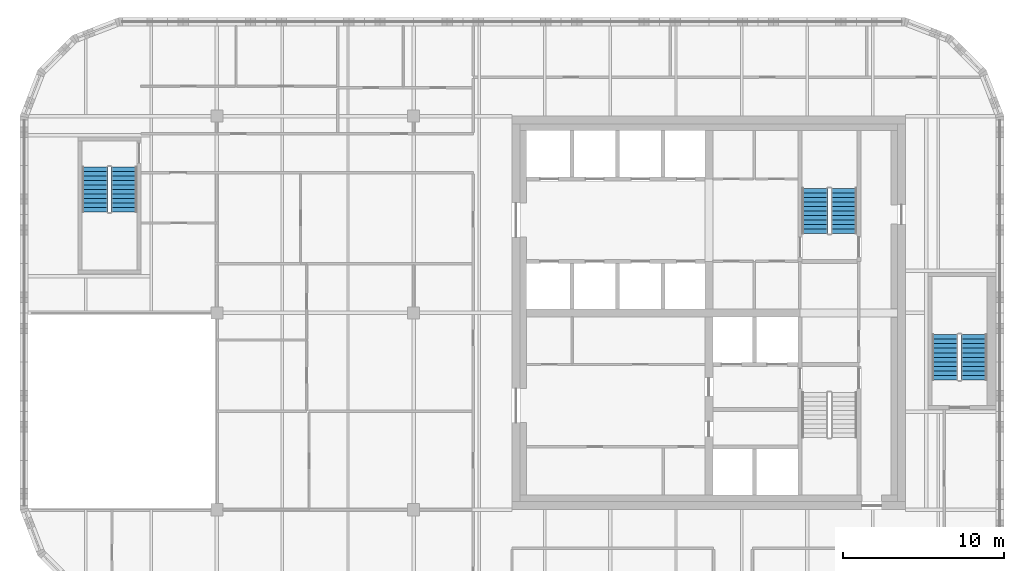
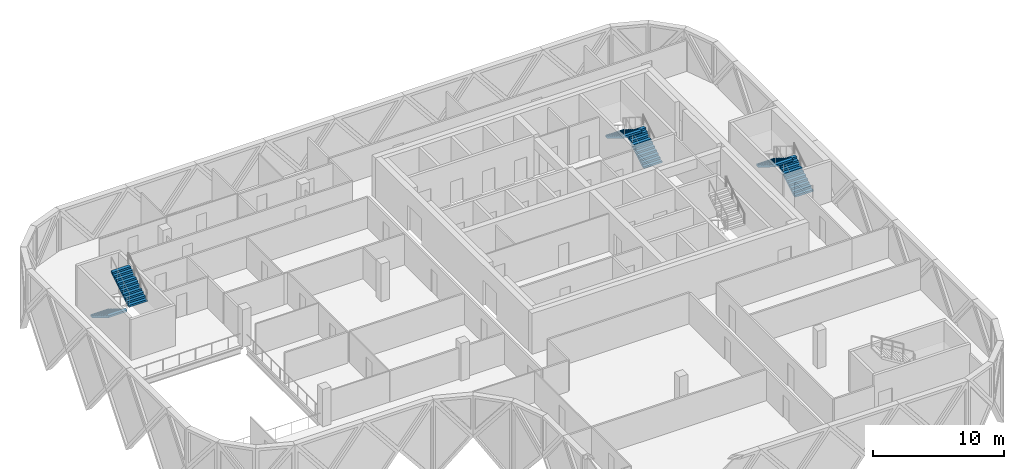
# One storey, part 14 of 15: 6 stair flights, 3 elements without a shape of their own.
"""IFC4 building model written with IfcOpenShell, lengths in metres."""

from ifc_helpers import new_model, si_unit, direction, frame, origin, place, context, subcontext, project, spatial, polyline, outline, extrude, material, type_object, element, aggregate, save


model = new_model("IFC4")

# Units and contexts
model_context = context("Model", 3, precision=1e-05, world=origin(), true_north=direction((0.0, 1.0)))
body_context = subcontext(model_context, "Body", "Model", "MODEL_VIEW")
ifc_project = project(units=[si_unit("LENGTHUNIT", "METRE"), si_unit("AREAUNIT", "SQUARE_METRE"), si_unit("VOLUMEUNIT", "CUBIC_METRE"), si_unit("PLANEANGLEUNIT", "RADIAN"), si_unit("MASSUNIT", "GRAM", prefix="KILO")], contexts=[model_context])

# Site, building, storey
site_placement = place(None, origin())
site = spatial("IfcSite", under=ifc_project, at=site_placement, CompositionType="ELEMENT")
building_placement = place(site_placement, origin())
building = spatial("IfcBuilding", under=site, at=building_placement, Name="Tessera Gate Towers", CompositionType="ELEMENT")
storey_placement = place(building_placement, frame((0.0, 0.0, 228.300048828125)))
storey = spatial("IfcBuildingStorey", under=building, at=storey_placement, Name="L57", CompositionType="ELEMENT", Elevation=228.300048828125)

# Stair, stair flights
ifc_material_1 = material(Name="Concrete C40/50", Category="concrete")
stair_type_1 = type_object("IfcStairType", Name="EXIT STAIR ST2 1600", PredefinedType="HALF_TURN_STAIR", material=ifc_material_1)
stair_1_placement = place(storey_placement, origin())
stair_1 = element("IfcStair", 1, at=stair_1_placement, inside=storey, type_object=stair_type_1, Name="L57 Protected Exit Stair ST2", PredefinedType="HALF_TURN_STAIR")
ifc_material_2 = material(Name="Concrete C40/50", Category="concrete")
stair_flight_type_1 = type_object("IfcStairFlightType", Name="EXIT STAIR FLIGHT ST2 1600", PredefinedType="STRAIGHT", material=ifc_material_2)
stair_flight_1_placement = place(storey_placement, frame((51.074951171875, 41.52490234375, 0.0), z_axis=(0.0, 0.0, 1.0), x_axis=(0.0, 1.0, 0.0)))
stair_flight_1 = element("IfcStairFlight", 2, at=stair_flight_1_placement, type_object=stair_flight_type_1, Name="ST2 flight 1", NumberOfRisers=11, NumberOfTreads=10, PredefinedType="STRAIGHT", RiserHeight=0.172727273, TreadLength=0.28, context=body_context, shape_type="SweptSolid", body=[
    extrude(outline(polyline([(0.0, 0.0), (0.0, 0.172607421875), (0.280029296875, 0.172607421875), (0.280029296875, 0.345458984375), (0.56005859375, 0.345458984375), (0.56005859375, 0.51806640625), (0.840087890625, 0.51806640625), (0.840087890625, 0.69091796875), (1.1201171875, 0.69091796875), (1.1201171875, 0.863525390625), (1.39990234375, 0.863525390625), (1.39990234375, 1.036376953125), (1.679931640625, 1.036376953125), (1.679931640625, 1.208984375), (1.9599609375, 1.208984375), (1.9599609375, 1.3818359375), (2.239990234375, 1.3818359375), (2.239990234375, 1.554443359375), (2.52001953125, 1.554443359375), (2.52001953125, 1.727294921875), (2.800048828125, 1.727294921875), (2.800048828125, 1.89990234375), (2.800048828125, 1.551025390625), (0.285400390625, 0.0), (0.0, 0.0)])), frame((0.0, 0.800048828125, 0.0), z_axis=(0.0, -1.0, 0.0), x_axis=(1.0, 0.0, 0.0)), (0.0, 0.0, 1.0), 1.60009765625),
])
stair_flight_2_placement = place(storey_placement, frame((49.27490234375, 44.324951171875, 1.89990234375), z_axis=(0.0, 0.0, 1.0), x_axis=(0.0, -1.0, 0.0)))
stair_flight_2 = element("IfcStairFlight", 3, at=stair_flight_2_placement, type_object=stair_flight_type_1, Name="ST2 flight 2", NumberOfRisers=11, NumberOfTreads=10, PredefinedType="STRAIGHT", RiserHeight=0.172727273, TreadLength=0.28, context=body_context, shape_type="SweptSolid", body=[
    extrude(outline(polyline([(0.0, 0.0), (0.0, 0.172607421875), (0.280029296875, 0.172607421875), (0.280029296875, 0.345458984375), (0.56005859375, 0.345458984375), (0.56005859375, 0.51806640625), (0.840087890625, 0.51806640625), (0.840087890625, 0.69091796875), (1.1201171875, 0.69091796875), (1.1201171875, 0.863525390625), (1.39990234375, 0.863525390625), (1.39990234375, 1.036376953125), (1.679931640625, 1.036376953125), (1.679931640625, 1.208984375), (1.9599609375, 1.208984375), (1.9599609375, 1.3818359375), (2.239990234375, 1.3818359375), (2.239990234375, 1.554443359375), (2.52001953125, 1.554443359375), (2.52001953125, 1.727294921875), (2.800048828125, 1.727294921875), (2.800048828125, 1.89990234375), (2.800048828125, 1.551025390625), (0.285400390625, 0.0), (0.0, 0.0)])), frame((0.0, 0.800048828125, 0.0), z_axis=(0.0, -1.0, 0.0), x_axis=(1.0, 0.0, 0.0)), (0.0, 0.0, 1.0), 1.60009765625),
])
aggregate(stair_1, [stair_flight_1, stair_flight_2])

ifc_material_3 = material(Name="Concrete C40/50", Category="concrete")
stair_type_2 = type_object("IfcStairType", Name="EXIT STAIR ST3 1600", PredefinedType="HALF_TURN_STAIR", material=ifc_material_3)
stair_2_placement = place(storey_placement, origin())
stair_2 = element("IfcStair", 4, at=stair_2_placement, inside=storey, type_object=stair_type_2, Name="L57 West Exit Stair ST3", PredefinedType="HALF_TURN_STAIR")
ifc_material_4 = material(Name="Concrete C40/50", Category="concrete")
stair_flight_type_2 = type_object("IfcStairFlightType", Name="EXIT STAIR FLIGHT ST3 1600", PredefinedType="STRAIGHT", material=ifc_material_4)
stair_flight_3_placement = place(storey_placement, frame((4.64990234375, 45.64990234375, 0.0), z_axis=(0.0, 0.0, 1.0), x_axis=(0.0, -1.0, 0.0)))
stair_flight_3 = element("IfcStairFlight", 5, at=stair_flight_3_placement, type_object=stair_flight_type_2, Name="ST3 flight 1", NumberOfRisers=11, NumberOfTreads=10, PredefinedType="STRAIGHT", RiserHeight=0.172727273, TreadLength=0.28, context=body_context, shape_type="SweptSolid", body=[
    extrude(outline(polyline([(0.0, 0.0), (0.0, 0.172607421875), (0.280029296875, 0.172607421875), (0.280029296875, 0.345458984375), (0.56005859375, 0.345458984375), (0.56005859375, 0.51806640625), (0.840087890625, 0.51806640625), (0.840087890625, 0.69091796875), (1.1201171875, 0.69091796875), (1.1201171875, 0.863525390625), (1.39990234375, 0.863525390625), (1.39990234375, 1.036376953125), (1.679931640625, 1.036376953125), (1.679931640625, 1.208984375), (1.9599609375, 1.208984375), (1.9599609375, 1.3818359375), (2.239990234375, 1.3818359375), (2.239990234375, 1.554443359375), (2.52001953125, 1.554443359375), (2.52001953125, 1.727294921875), (2.800048828125, 1.727294921875), (2.800048828125, 1.89990234375), (2.800048828125, 1.551025390625), (0.285400390625, 0.0), (0.0, 0.0)])), frame((0.0, 0.800048828125, 0.0), z_axis=(0.0, -1.0, 0.0), x_axis=(1.0, 0.0, 0.0)), (0.0, 0.0, 1.0), 1.60009765625),
])
stair_flight_4_placement = place(storey_placement, frame((6.449951171875, 42.85009765625, 1.89990234375), z_axis=(0.0, 0.0, 1.0), x_axis=(0.0, 1.0, 0.0)))
stair_flight_4 = element("IfcStairFlight", 6, at=stair_flight_4_placement, type_object=stair_flight_type_2, Name="ST3 flight 2", NumberOfRisers=11, NumberOfTreads=10, PredefinedType="STRAIGHT", RiserHeight=0.172727273, TreadLength=0.28, context=body_context, shape_type="SweptSolid", body=[
    extrude(outline(polyline([(0.0, 0.0), (0.0, 0.172607421875), (0.280029296875, 0.172607421875), (0.280029296875, 0.345458984375), (0.56005859375, 0.345458984375), (0.56005859375, 0.51806640625), (0.840087890625, 0.51806640625), (0.840087890625, 0.69091796875), (1.1201171875, 0.69091796875), (1.1201171875, 0.863525390625), (1.39990234375, 0.863525390625), (1.39990234375, 1.036376953125), (1.679931640625, 1.036376953125), (1.679931640625, 1.208984375), (1.9599609375, 1.208984375), (1.9599609375, 1.3818359375), (2.239990234375, 1.3818359375), (2.239990234375, 1.554443359375), (2.52001953125, 1.554443359375), (2.52001953125, 1.727294921875), (2.800048828125, 1.727294921875), (2.800048828125, 1.89990234375), (2.800048828125, 1.551025390625), (0.285400390625, 0.0), (0.0, 0.0)])), frame((0.0, 0.800048828125, 0.0), z_axis=(0.0, -1.0, 0.0), x_axis=(1.0, 0.0, 0.0)), (0.0, 0.0, 1.0), 1.60009765625),
])
aggregate(stair_2, [stair_flight_3, stair_flight_4])

ifc_material_5 = material(Name="Concrete C40/50", Category="concrete")
stair_type_3 = type_object("IfcStairType", Name="EXIT STAIR ST5 1600", PredefinedType="HALF_TURN_STAIR", material=ifc_material_5)
stair_3_placement = place(storey_placement, origin())
stair_3 = element("IfcStair", 7, at=stair_3_placement, inside=storey, type_object=stair_type_3, Name="L57 East Exit Stair ST5", PredefinedType="HALF_TURN_STAIR")
ifc_material_6 = material(Name="Concrete C40/50", Category="concrete")
stair_flight_type_3 = type_object("IfcStairFlightType", Name="EXIT STAIR FLIGHT ST5 1600", PredefinedType="STRAIGHT", material=ifc_material_6)
stair_flight_5_placement = place(storey_placement, frame((59.14990234375, 32.449951171875, 0.0), z_axis=(0.0, 0.0, 1.0), x_axis=(0.0, 1.0, 0.0)))
stair_flight_5 = element("IfcStairFlight", 8, at=stair_flight_5_placement, type_object=stair_flight_type_3, Name="ST5 flight 1", NumberOfRisers=11, NumberOfTreads=10, PredefinedType="STRAIGHT", RiserHeight=0.172727273, TreadLength=0.28, context=body_context, shape_type="SweptSolid", body=[
    extrude(outline(polyline([(0.0, 0.0), (0.0, 0.172607421875), (0.280029296875, 0.172607421875), (0.280029296875, 0.345458984375), (0.56005859375, 0.345458984375), (0.56005859375, 0.51806640625), (0.840087890625, 0.51806640625), (0.840087890625, 0.69091796875), (1.1201171875, 0.69091796875), (1.1201171875, 0.863525390625), (1.39990234375, 0.863525390625), (1.39990234375, 1.036376953125), (1.679931640625, 1.036376953125), (1.679931640625, 1.208984375), (1.9599609375, 1.208984375), (1.9599609375, 1.3818359375), (2.239990234375, 1.3818359375), (2.239990234375, 1.554443359375), (2.52001953125, 1.554443359375), (2.52001953125, 1.727294921875), (2.800048828125, 1.727294921875), (2.800048828125, 1.89990234375), (2.800048828125, 1.551025390625), (0.285400390625, 0.0), (0.0, 0.0)])), frame((0.0, 0.800048828125, 0.0), z_axis=(0.0, -1.0, 0.0), x_axis=(1.0, 0.0, 0.0)), (0.0, 0.0, 1.0), 1.60009765625),
])
stair_flight_6_placement = place(storey_placement, frame((57.35009765625, 35.25, 1.89990234375), z_axis=(0.0, 0.0, 1.0), x_axis=(0.0, -1.0, 0.0)))
stair_flight_6 = element("IfcStairFlight", 9, at=stair_flight_6_placement, type_object=stair_flight_type_3, Name="ST5 flight 2", NumberOfRisers=11, NumberOfTreads=10, PredefinedType="STRAIGHT", RiserHeight=0.172727273, TreadLength=0.28, context=body_context, shape_type="SweptSolid", body=[
    extrude(outline(polyline([(0.0, 0.0), (0.0, 0.172607421875), (0.280029296875, 0.172607421875), (0.280029296875, 0.345458984375), (0.56005859375, 0.345458984375), (0.56005859375, 0.51806640625), (0.840087890625, 0.51806640625), (0.840087890625, 0.69091796875), (1.1201171875, 0.69091796875), (1.1201171875, 0.863525390625), (1.39990234375, 0.863525390625), (1.39990234375, 1.036376953125), (1.679931640625, 1.036376953125), (1.679931640625, 1.208984375), (1.9599609375, 1.208984375), (1.9599609375, 1.3818359375), (2.239990234375, 1.3818359375), (2.239990234375, 1.554443359375), (2.52001953125, 1.554443359375), (2.52001953125, 1.727294921875), (2.800048828125, 1.727294921875), (2.800048828125, 1.89990234375), (2.800048828125, 1.551025390625), (0.285400390625, 0.0), (0.0, 0.0)])), frame((0.0, 0.800048828125, 0.0), z_axis=(0.0, -1.0, 0.0), x_axis=(1.0, 0.0, 0.0)), (0.0, 0.0, 1.0), 1.60009765625),
])
aggregate(stair_3, [stair_flight_5, stair_flight_6])

save(model, "model.ifc")
